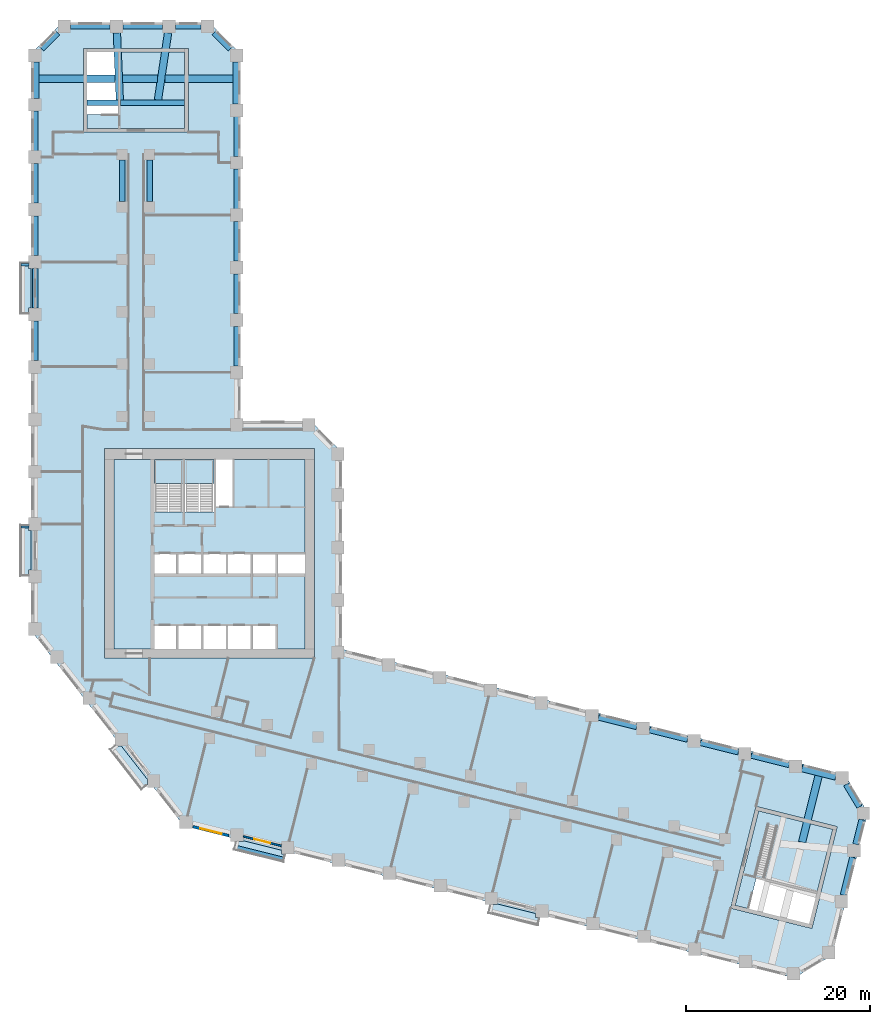
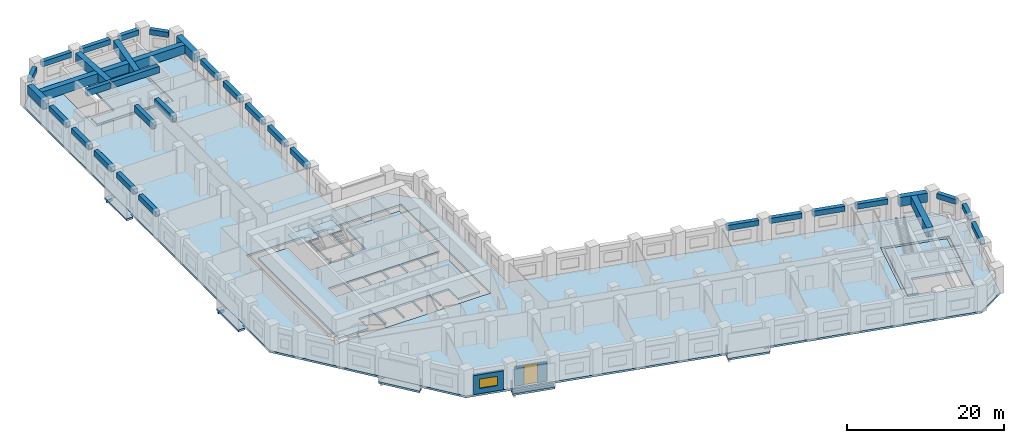
# One storey, part 2 of 12: 37 beams, 11 slabs, 3 walls, 1 door, 1 window, 2 openings, 2 elements without a shape of their own.
"""IFC4 building model written with IfcOpenShell, lengths in metres."""

import ifcopenshell
import ifcopenshell.guid

model = None  # the IFC model being written
_history = None  # IfcOwnerHistory: only IFC2X3 demands one
_inside = {}  # id of a spatial element -> (the spatial element, [elements in it])
_under = {}  # id of a project, library or spatial element -> (it, [spatial elements below it])
_declared = {}  # id of a project -> (the project, [libraries it declares])
_typed = {}  # id of a type object -> (the type object, [elements of that type])
_made_of = {}  # id of a material, layer set ... -> (it, [elements and type objects made of it])


def new_model(schema):
    """Start an empty IFC model of exactly this schema.

    Asked for "IFC4X3", IfcOpenShell would pick the latest addendum, in which some entities
    have other attributes; the version numbers below select the first issue.
    IFC2X3 requires an IfcOwnerHistory on every rooted entity: one is made here for all.
    """
    global model, _history
    if schema == "IFC4X3":
        model = ifcopenshell.file(schema_version=(4, 3, 0, 0))
    else:
        model = ifcopenshell.file(schema=schema)
    _inside.clear()
    _under.clear()
    _declared.clear()
    _typed.clear()
    _made_of.clear()
    _history = None
    if model.schema == "IFC2X3":
        org = make("IfcOrganization", Name="unknown")
        user = make(
            "IfcPersonAndOrganization",
            ThePerson=make("IfcPerson", FamilyName="unknown"),
            TheOrganization=org,
        )
        app = make(
            "IfcApplication",
            ApplicationDeveloper=org,
            Version="unknown",
            ApplicationFullName="unknown",
            ApplicationIdentifier="unknown",
        )
        _history = make(
            "IfcOwnerHistory",
            OwningUser=user,
            OwningApplication=app,
            ChangeAction="ADDED",
            CreationDate=0,
        )
    return model


def make(cls, **values):
    """One entity of the class cls with the attributes given. An attribute that is None is left unset."""
    return model.create_entity(
        cls, **{name: value for name, value in values.items() if value is not None}
    )


def rooted(cls, **values):
    """An entity with a GlobalId (a new one), such as an element, a storey or a relation."""
    return make(cls, GlobalId=ifcopenshell.guid.new(), OwnerHistory=_history, **values)


def si_unit(unit_type, name, prefix=None):
    """IfcSIUnit, for example si_unit("LENGTHUNIT", "METRE", prefix="MILLI")."""
    return make("IfcSIUnit", UnitType=unit_type, Prefix=prefix, Name=name)


def assignment(units):
    """IfcUnitAssignment: the units of a project."""
    return None if units is None else make("IfcUnitAssignment", Units=units)


def point(xyz):
    """IfcCartesianPoint."""
    return None if xyz is None else make("IfcCartesianPoint", Coordinates=xyz)


def direction(xyz):
    """IfcDirection."""
    return None if xyz is None else make("IfcDirection", DirectionRatios=xyz)


def frame(location, z_axis=None, x_axis=None):
    """IfcAxis2Placement3D, a coordinate frame: its origin and axes. An axis left out is left unset."""
    return make(
        "IfcAxis2Placement3D",
        Location=point(location),
        Axis=direction(z_axis),
        RefDirection=direction(x_axis),
    )


def frame_2d(location, x_axis=None):
    """IfcAxis2Placement2D, a coordinate frame in the plane: its origin and x axis."""
    return make(
        "IfcAxis2Placement2D", Location=point(location), RefDirection=direction(x_axis)
    )


def origin():
    """The frame at (0, 0, 0) with its axes left unset."""
    return frame((0.0, 0.0, 0.0))


def origin_2d():
    """The frame at (0, 0) in the plane with its x axis left unset."""
    return frame_2d((0.0, 0.0))


def place(relative_to, where):
    """IfcLocalPlacement: puts the frame where relative to a parent placement (None: the world)."""
    return make(
        "IfcLocalPlacement", PlacementRelTo=relative_to, RelativePlacement=where
    )


def context(
    kind, dimensions, precision=None, world=None, true_north=None, identifier=None
):
    """IfcGeometricRepresentationContext, for example the 3D "Model" context."""
    return make(
        "IfcGeometricRepresentationContext",
        ContextIdentifier=identifier,
        ContextType=kind,
        CoordinateSpaceDimension=dimensions,
        Precision=precision,
        WorldCoordinateSystem=world,
        TrueNorth=true_north,
    )


def subcontext(parent, identifier, kind, view, scale=None):
    """IfcGeometricRepresentationSubContext, for example "Body" below "Model"."""
    return make(
        "IfcGeometricRepresentationSubContext",
        ContextIdentifier=identifier,
        ContextType=kind,
        ParentContext=parent,
        TargetScale=scale,
        TargetView=view,
    )


def project(units=None, contexts=None):
    """IfcProject with its units and contexts."""
    return rooted(
        "IfcProject",
        Name="project",
        RepresentationContexts=contexts,
        UnitsInContext=assignment(units),
    )


def spatial(cls, under=None, at=None, **own):
    """A site, building, storey or space (cls), placed at a placement, below another one or the project."""
    s = rooted(cls, ObjectPlacement=at, **own)
    if under is not None:
        _under.setdefault(under.id(), (under, []))[1].append(s)
    return s


def polyline(points):
    """IfcPolyline through the points."""
    return make("IfcPolyline", Points=[point(p) for p in points])


def profile(cls, at=None, kind="AREA", **sizes):
    """A parametric profile (cls). Its sizes go by their IFC names, for example OverallWidth=200.0."""
    return make(cls, ProfileType=kind, Position=at, **sizes)


def rectangle(**sizes):
    """IfcRectangleProfileDef."""
    return profile("IfcRectangleProfileDef", **sizes)


def outline(outer, holes=None, kind="AREA"):
    """IfcArbitraryClosedProfileDef: a profile drawn as a closed curve; with holes, ...WithVoids."""
    if holes is None:
        return make("IfcArbitraryClosedProfileDef", ProfileType=kind, OuterCurve=outer)
    return make(
        "IfcArbitraryProfileDefWithVoids",
        ProfileType=kind,
        OuterCurve=outer,
        InnerCurves=holes,
    )


def extrude(swept, where, along, depth):
    """IfcExtrudedAreaSolid: the profile swept, set in the frame where, extruded along a direction by depth."""
    return make(
        "IfcExtrudedAreaSolid",
        SweptArea=swept,
        Position=where,
        ExtrudedDirection=direction(along),
        Depth=depth,
    )


def shape(context_of_items, identifier, shape_type, items):
    """IfcShapeRepresentation: the items that make up one representation, for example the "Body"."""
    return make(
        "IfcShapeRepresentation",
        ContextOfItems=context_of_items,
        RepresentationIdentifier=identifier,
        RepresentationType=shape_type,
        Items=items,
    )


def material(Name=None, Category=None):
    """IfcMaterial."""
    return make("IfcMaterial", Name=Name, Category=Category)


def layer(
    of_material, thickness, ventilated=None, Name=None, Category=None, Priority=None
):
    """IfcMaterialLayer: one layer of a wall or slab, of a material (None: an air gap)."""
    return make(
        "IfcMaterialLayer",
        Material=of_material,
        LayerThickness=thickness,
        IsVentilated=ventilated,
        Name=Name,
        Category=Category,
        Priority=Priority,
    )


def layer_set(layers, Name=None):
    """IfcMaterialLayerSet."""
    return make("IfcMaterialLayerSet", MaterialLayers=layers, LayerSetName=Name)


def material_profile(
    of_material, cross_section, Name=None, Category=None, Priority=None
):
    """IfcMaterialProfile: a cross section and its material."""
    return make(
        "IfcMaterialProfile",
        Name=Name,
        Material=of_material,
        Profile=cross_section,
        Priority=Priority,
        Category=Category,
    )


def profile_set(profiles, Name=None, composite=None):
    """IfcMaterialProfileSet."""
    return make(
        "IfcMaterialProfileSet",
        Name=Name,
        MaterialProfiles=profiles,
        CompositeProfile=composite,
    )


def made_of(thing, what):
    """Note that an element or type object is made of a material, layer set ...; save() writes the relation."""
    if what is not None:
        _made_of.setdefault(what.id(), (what, []))[1].append(thing)
    return thing


def type_object(cls, material=None, **own):
    """A type object (cls), such as IfcWallType, which elements share."""
    return made_of(rooted(cls, **own), material)


def element(
    cls,
    number,
    at=None,
    inside=None,
    cuts=None,
    type_object=None,
    material=None,
    context=None,
    identifier="Body",
    shape_type=None,
    held_by="IfcProductDefinitionShape",
    body=None,
    shapes=None,
    **own,
):
    """One element of the class cls, such as IfcWall. Its Tag is "e" and its number.

    at: its placement. inside: the storey or other place that contains it. cuts: it is an
    opening in that element (IfcRelVoidsElement). A single representation is given by context,
    identifier, shape_type and body (its items); several are given by shapes. held_by: the class
    of the entity that holds the representations. save() writes the other relations.
    """
    e = rooted(cls, Tag="e%d" % number, ObjectPlacement=at, **own)
    if body is not None:
        shapes = [shape(context, identifier, shape_type, body)]
    if shapes is not None:
        e.Representation = make(held_by, Representations=shapes)
    if inside is not None:
        _inside.setdefault(inside.id(), (inside, []))[1].append(e)
    if cuts is not None:
        rooted(
            "IfcRelVoidsElement", RelatingBuildingElement=cuts, RelatedOpeningElement=e
        )
    if type_object is not None:
        _typed.setdefault(type_object.id(), (type_object, []))[1].append(e)
    return made_of(e, material)


def fill(opening, filler):
    """IfcRelFillsElement: the door or window that sits in an opening."""
    return rooted(
        "IfcRelFillsElement",
        RelatingOpeningElement=opening,
        RelatedBuildingElement=filler,
    )


def aggregate(whole, parts):
    """IfcRelAggregates: a whole, such as a stair, and the parts it consists of."""
    return rooted("IfcRelAggregates", RelatingObject=whole, RelatedObjects=parts)


def save(model, path):
    """Write the relations noted so far, then the file.

    IfcRelAggregates (storeys below a building ...), IfcRelContainedInSpatialStructure (elements
    in a storey), IfcRelDefinesByType, IfcRelAssociatesMaterial and IfcRelDeclares: one each for
    every whole, place, type object, material and project.
    """
    for whole, parts in _under.values():
        aggregate(whole, parts)
    for where, things in _inside.values():
        rooted(
            "IfcRelContainedInSpatialStructure",
            RelatedElements=things,
            RelatingStructure=where,
        )
    for kind, things in _typed.values():
        rooted("IfcRelDefinesByType", RelatedObjects=things, RelatingType=kind)
    for what, things in _made_of.values():
        rooted("IfcRelAssociatesMaterial", RelatedObjects=things, RelatingMaterial=what)
    for by, libraries in _declared.values():
        rooted("IfcRelDeclares", RelatingContext=by, RelatedDefinitions=libraries)
    model.write(path)


model = new_model("IFC4")

# Units and contexts
model_context = context("Model", 3, precision=1e-05, world=origin(), true_north=direction((0.0, 1.0)))
body_context = subcontext(model_context, "Body", "Model", "MODEL_VIEW")
ifc_project = project(units=[si_unit("LENGTHUNIT", "METRE"), si_unit("AREAUNIT", "SQUARE_METRE"), si_unit("VOLUMEUNIT", "CUBIC_METRE"), si_unit("PLANEANGLEUNIT", "RADIAN"), si_unit("MASSUNIT", "GRAM", prefix="KILO")], contexts=[model_context])

# Site, building, storey
site_placement = place(None, origin())
site = spatial("IfcSite", under=ifc_project, at=site_placement, CompositionType="ELEMENT")
building_placement = place(site_placement, origin())
building = spatial("IfcBuilding", under=site, at=building_placement, Name="Meshkara Civic Tower", CompositionType="ELEMENT")
storey_placement = place(building_placement, frame((0.0, 0.0, 87.60009765625)))
storey = spatial("IfcBuildingStorey", under=building, at=storey_placement, Name="L19", CompositionType="ELEMENT", Elevation=87.60009765625)

# Beams
ifc_material_1 = material(Name="Concrete C50", Category="concrete")
ifc_material_profile_1 = material_profile(ifc_material_1, rectangle(XDim=0.25, YDim=0.39990234375, at=origin_2d()))
ifc_profile_set_1 = profile_set([ifc_material_profile_1], Name="Concrete C50")
beam_type_1 = type_object("IfcBeamType", Name="Balcony bracket beam RC 250x400 C50", PredefinedType="BEAM", material=ifc_profile_set_1)
for number, where, z_axis, x_axis, name in (
    (1, (-0.2451171875, 56.85498046875, -0.5), (-1.0, 0.0, 0.0), (0.0, -1.0, 0.0), "Balcony bracket beam"),
    (2, (-0.2451171875, 28.35498046875, -0.5), (-1.0, 0.0, 0.0), (0.0, -1.0, 0.0), "Balcony bracket beam"),
):
    element("IfcBeam", number, at=place(storey_placement, frame(where, z_axis=z_axis, x_axis=x_axis)), inside=storey, type_object=beam_type_1, Name=name, PredefinedType="BEAM", context=body_context, shape_type="SweptSolid", body=[
        extrude(rectangle(XDim=0.25, YDim=0.39990234375, at=origin_2d()), origin(), (0.0, 0.0, 1.0), 0.85498046875),
    ])
ifc_material_2 = material(Name="Concrete C80", Category="concrete")
ifc_material_profile_2 = material_profile(ifc_material_2, rectangle(XDim=0.60009765625, YDim=1.0, at=origin_2d()))
ifc_profile_set_2 = profile_set([ifc_material_profile_2], Name="Concrete C80")
beam_type_2 = type_object("IfcBeamType", Name="Core transfer beam RC 600x1000 C80", PredefinedType="BEAM", material=ifc_profile_set_2)
for number, where, z_axis, x_axis, name in (
    (3, (9.89990234375, 63.75, 3.25), (0.0, 1.0, 0.0), (-1.0, 0.0, 0.0), "Transfer beam A L20 core-side wall"),
    (4, (12.89990234375, 63.75, 3.25), (0.0, 1.0, 0.0), (-1.0, 0.0, 0.0), "Transfer beam A L20 core-side wall"),
):
    element("IfcBeam", number, at=place(storey_placement, frame(where, z_axis=z_axis, x_axis=x_axis)), inside=storey, type_object=beam_type_2, Name=name, PredefinedType="BEAM", context=body_context, shape_type="SweptSolid", body=[
        extrude(rectangle(XDim=0.60009765625, YDim=1.0, at=origin_2d()), origin(), (0.0, 0.0, 1.0), 4.5),
    ])
beam_1_placement = place(storey_placement, frame((6.10009765625, 74.469970703125, 3.25), z_axis=(1.0, 0.0, 0.0), x_axis=(0.0, 1.0, 0.0)))
element("IfcBeam", 5, at=beam_1_placement, inside=storey, type_object=beam_type_2, Name="Transfer beam A L20 tip-side wall", PredefinedType="BEAM", context=body_context, shape_type="SweptSolid", body=[
    extrude(rectangle(XDim=0.60009765625, YDim=1.0, at=origin_2d()), origin(), (0.0, 0.0, 1.0), 3.39990234375),
])
beam_2_placement = place(storey_placement, frame((9.699951171875, 74.469970703125, 3.25), z_axis=(1.0, 0.0, 0.0), x_axis=(0.0, 1.0, 0.0)))
element("IfcBeam", 6, at=beam_2_placement, inside=storey, type_object=beam_type_2, Name="Transfer beam A L20 tip-side wall", PredefinedType="BEAM", context=body_context, shape_type="SweptSolid", body=[
    extrude(rectangle(XDim=0.60009765625, YDim=1.0, at=origin_2d()), origin(), (0.0, 0.0, 1.0), 7.0),
])
ifc_material_3 = material(Name="Concrete C70", Category="concrete")
ifc_material_profile_3 = material_profile(ifc_material_3, rectangle(XDim=0.60009765625, YDim=0.800048828125, at=origin_2d()))
ifc_profile_set_3 = profile_set([ifc_material_profile_3], Name="Concrete C70")
beam_type_3 = type_object("IfcBeamType", Name="Spandrel beam RC 600x800 C70", PredefinedType="BEAM", material=ifc_profile_set_3)
beam_3_placement = place(storey_placement, frame((82.430908203125, 2.481201171875, 3.349853515625), z_axis=(-0.97029374225, 0.241929852955, 0.0), x_axis=(-0.241929852955, -0.97029374225, 0.0)))
element("IfcBeam", 7, at=beam_3_placement, inside=storey, type_object=beam_type_3, Name="Spandrel beam BN08-BN09", PredefinedType="BEAM", context=body_context, shape_type="SweptSolid", body=[
    extrude(rectangle(XDim=0.60009765625, YDim=0.800048828125, at=origin_2d()), origin(), (0.0, 0.0, 1.0), 4.267578125),
])
beam_4_placement = place(storey_placement, frame((76.89990234375, 3.8603515625, 3.349853515625), z_axis=(-0.970293777887, 0.241929710026, 0.0), x_axis=(-0.241929710026, -0.970293777887, 0.0)))
element("IfcBeam", 8, at=beam_4_placement, inside=storey, type_object=beam_type_3, Name="Spandrel beam BN07-BN08", PredefinedType="BEAM", context=body_context, shape_type="SweptSolid", body=[
    extrude(rectangle(XDim=0.60009765625, YDim=0.800048828125, at=origin_2d()), origin(), (0.0, 0.0, 1.0), 4.2666015625),
])
for number, where, z_axis, x_axis, name in (
    (9, (71.369873046875, 5.2392578125, 3.349853515625), (-0.97029374225, 0.241929852955, 0.0), (-0.241929852955, -0.97029374225, 0.0), "Spandrel beam BN06-BN07"),
    (10, (65.8388671875, 6.618408203125, 3.349853515625), (-0.970307169965, 0.241875992843, 0.0), (-0.241875992843, -0.970307169965, 0.0), "Spandrel beam BN05-BN06"),
):
    element("IfcBeam", number, at=place(storey_placement, frame(where, z_axis=z_axis, x_axis=x_axis)), inside=storey, type_object=beam_type_3, Name=name, PredefinedType="BEAM", context=body_context, shape_type="SweptSolid", body=[
        extrude(rectangle(XDim=0.60009765625, YDim=0.800048828125, at=origin_2d()), origin(), (0.0, 0.0, 1.0), 4.267578125),
    ])
for number, where, z_axis, x_axis, name in (
    (11, (22.35009765625, 45.844970703125, 3.349853515625), (0.0, 1.0, 0.0), (-1.0, 0.0, 0.0), "Spandrel beam AE01-AE02"),
    (12, (22.35009765625, 51.544921875, 3.349853515625), (0.0, 1.0, 0.0), (-1.0, 0.0, 0.0), "Spandrel beam AE02-AE03"),
):
    element("IfcBeam", number, at=place(storey_placement, frame(where, z_axis=z_axis, x_axis=x_axis)), inside=storey, type_object=beam_type_3, Name=name, PredefinedType="BEAM", context=body_context, shape_type="SweptSolid", body=[
        extrude(rectangle(XDim=0.60009765625, YDim=0.800048828125, at=origin_2d()), origin(), (0.0, 0.0, 1.0), 4.31005859375),
    ])
for number, where, z_axis, x_axis, name in (
    (13, (22.35009765625, 57.2451171875, 3.349853515625), (0.0, 1.0, 0.0), (-1.0, 0.0, 0.0), "Spandrel beam AE03-AE04"),
    (14, (22.35009765625, 62.945068359375, 3.349853515625), (0.0, 1.0, 0.0), (-1.0, 0.0, 0.0), "Spandrel beam AE04-AE05"),
):
    element("IfcBeam", number, at=place(storey_placement, frame(where, z_axis=z_axis, x_axis=x_axis)), inside=storey, type_object=beam_type_3, Name=name, PredefinedType="BEAM", context=body_context, shape_type="SweptSolid", body=[
        extrude(rectangle(XDim=0.60009765625, YDim=0.800048828125, at=origin_2d()), origin(), (0.0, 0.0, 1.0), 4.309814453125),
    ])
beam_5_placement = place(storey_placement, frame((22.35009765625, 68.64501953125, 3.349853515625), z_axis=(0.0, 1.0, 0.0), x_axis=(-1.0, 0.0, 0.0)))
element("IfcBeam", 15, at=beam_5_placement, inside=storey, type_object=beam_type_3, Name="Spandrel beam AE05-AE06", PredefinedType="BEAM", context=body_context, shape_type="SweptSolid", body=[
    extrude(rectangle(XDim=0.60009765625, YDim=0.800048828125, at=origin_2d()), origin(), (0.0, 0.0, 1.0), 4.31005859375),
])
beam_6_placement = place(storey_placement, frame((21.653564453125, 80.310546875, 3.349853515625), z_axis=(-0.707155737934, 0.70705782105, 0.0), x_axis=(-0.70705782105, -0.707155737934, 0.0)))
element("IfcBeam", 16, at=beam_6_placement, inside=storey, type_object=beam_type_3, Name="Spandrel beam AEE-ATiE", PredefinedType="BEAM", context=body_context, shape_type="SweptSolid", body=[
    extrude(rectangle(XDim=0.60009765625, YDim=0.800048828125, at=origin_2d()), origin(), (0.0, 0.0, 1.0), 2.493408203125),
])
beam_7_placement = place(storey_placement, frame((18.4990234375, 82.77001953125, 3.349853515625), z_axis=(-1.0, 0.0, 0.0), x_axis=(0.0, -1.0, 0.0)))
element("IfcBeam", 17, at=beam_7_placement, inside=storey, type_object=beam_type_3, Name="Spandrel beam AT02-ATiE", PredefinedType="BEAM", context=body_context, shape_type="SweptSolid", body=[
    extrude(rectangle(XDim=0.60009765625, YDim=0.800048828125, at=origin_2d()), origin(), (0.0, 0.0, 1.0), 2.798095703125),
])
for number, where, z_axis, x_axis, name in (
    (18, (14.31103515625, 82.77001953125, 3.349853515625), (-1.0, 0.0, 0.0), (0.0, -1.0, 0.0), "Spandrel beam AT01-AT02"),
    (19, (8.611083984375, 82.77001953125, 3.349853515625), (-1.0, 0.0, 0.0), (0.0, -1.0, 0.0), "Spandrel beam AT00-AT01"),
):
    element("IfcBeam", number, at=place(storey_placement, frame(where, z_axis=z_axis, x_axis=x_axis)), inside=storey, type_object=beam_type_3, Name=name, PredefinedType="BEAM", context=body_context, shape_type="SweptSolid", body=[
        extrude(rectangle(XDim=0.60009765625, YDim=0.800048828125, at=origin_2d()), origin(), (0.0, 0.0, 1.0), 4.31005859375),
    ])
beam_8_placement = place(storey_placement, frame((2.909423828125, 82.073486328125, 3.349853515625), z_axis=(-0.707106781187, -0.707106781187, 0.0), x_axis=(0.707106781187, -0.707106781187, 0.0)))
element("IfcBeam", 20, at=beam_8_placement, inside=storey, type_object=beam_type_3, Name="Spandrel beam AT00-ATo00", PredefinedType="BEAM", context=body_context, shape_type="SweptSolid", body=[
    extrude(rectangle(XDim=0.60009765625, YDim=0.800048828125, at=origin_2d()), origin(), (0.0, 0.0, 1.0), 2.4931640625),
])
for number, where, z_axis, x_axis, name in (
    (21, (0.449951171875, 73.56005859375, 3.349853515625), (0.0, -1.0, 0.0), (1.0, 0.0, 0.0), "Spandrel beam AW09-AW10"),
    (22, (0.449951171875, 67.860107421875, 3.349853515625), (0.0, -1.0, 0.0), (1.0, 0.0, 0.0), "Spandrel beam AW08-AW09"),
):
    element("IfcBeam", number, at=place(storey_placement, frame(where, z_axis=z_axis, x_axis=x_axis)), inside=storey, type_object=beam_type_3, Name=name, PredefinedType="BEAM", context=body_context, shape_type="SweptSolid", body=[
        extrude(rectangle(XDim=0.60009765625, YDim=0.800048828125, at=origin_2d()), origin(), (0.0, 0.0, 1.0), 4.31005859375),
    ])
beam_9_placement = place(storey_placement, frame((0.449951171875, 62.159912109375, 3.349853515625), z_axis=(0.0, -1.0, 0.0), x_axis=(1.0, 0.0, 0.0)))
element("IfcBeam", 23, at=beam_9_placement, inside=storey, type_object=beam_type_3, Name="Spandrel beam AW07-AW08", PredefinedType="BEAM", context=body_context, shape_type="SweptSolid", body=[
    extrude(rectangle(XDim=0.60009765625, YDim=0.800048828125, at=origin_2d()), origin(), (0.0, 0.0, 1.0), 4.309814453125),
])
for number, where, z_axis, x_axis, name in (
    (24, (0.449951171875, 56.4599609375, 3.349853515625), (0.0, -1.0, 0.0), (1.0, 0.0, 0.0), "Spandrel beam AW06-AW07"),
    (25, (0.449951171875, 50.760009765625, 3.349853515625), (0.0, -1.0, 0.0), (1.0, 0.0, 0.0), "Spandrel beam AW05-AW06"),
):
    element("IfcBeam", number, at=place(storey_placement, frame(where, z_axis=z_axis, x_axis=x_axis)), inside=storey, type_object=beam_type_3, Name=name, PredefinedType="BEAM", context=body_context, shape_type="SweptSolid", body=[
        extrude(rectangle(XDim=0.60009765625, YDim=0.800048828125, at=origin_2d()), origin(), (0.0, 0.0, 1.0), 4.31005859375),
    ])
beam_10_placement = place(storey_placement, frame((88.266357421875, -11.677001953125, 3.349853515625), z_axis=(0.241929710026, 0.970293777887, 0.0), x_axis=(-0.970293777887, 0.241929710026, 0.0)))
element("IfcBeam", 26, at=beam_10_placement, inside=storey, type_object=beam_type_3, Name="Spandrel beam BT01-BT02", PredefinedType="BEAM", context=body_context, shape_type="SweptSolid", body=[
    extrude(rectangle(XDim=0.60009765625, YDim=0.800048828125, at=origin_2d()), origin(), (0.0, 0.0, 1.0), 4.2666015625),
])
beam_11_placement = place(storey_placement, frame((89.645263671875, -6.14697265625, 3.349853515625), z_axis=(0.241951685637, 0.9702882983, 0.0), x_axis=(-0.9702882983, 0.241951685637, 0.0)))
element("IfcBeam", 27, at=beam_11_placement, inside=storey, type_object=beam_type_3, Name="Spandrel beam BT02-BTE", PredefinedType="BEAM", context=body_context, shape_type="SweptSolid", body=[
    extrude(rectangle(XDim=0.60009765625, YDim=0.800048828125, at=origin_2d()), origin(), (0.0, 0.0, 1.0), 2.754638671875),
])
beam_12_placement = place(storey_placement, frame((90.06689453125, -2.083251953125, 3.349853515625), z_axis=(-0.515140502895, 0.85710574743, 0.0), x_axis=(-0.85710574743, -0.515140502895, 0.0)))
element("IfcBeam", 28, at=beam_12_placement, inside=storey, type_object=beam_type_3, Name="Spandrel beam BTE-BTi00", PredefinedType="BEAM", context=body_context, shape_type="SweptSolid", body=[
    extrude(rectangle(XDim=0.60009765625, YDim=0.800048828125, at=origin_2d()), origin(), (0.0, 0.0, 1.0), 2.83935546875),
])
ifc_material_4 = material(Name="Concrete C70", Category="concrete")
ifc_material_profile_4 = material_profile(ifc_material_4, rectangle(XDim=0.800048828125, YDim=1.39990234375, at=origin_2d()))
ifc_profile_set_4 = profile_set([ifc_material_profile_4], Name="Concrete C70")
beam_type_4 = type_object("IfcBeamType", Name="Transfer girder RC 800x1400 C70", PredefinedType="BEAM", material=ifc_profile_set_4)
beam_13_placement = place(storey_placement, frame((22.35009765625, 74.344970703125, 3.0498046875), z_axis=(0.0, 1.0, 0.0), x_axis=(-1.0, 0.0, 0.0)))
element("IfcBeam", 29, at=beam_13_placement, inside=storey, type_object=beam_type_4, Name="Transfer girder AE06-AEE", PredefinedType="BEAM", context=body_context, shape_type="SweptSolid", body=[
    extrude(rectangle(XDim=0.800048828125, YDim=1.39990234375, at=origin_2d()), origin(), (0.0, 0.0, 1.0), 4.573974609375),
])
beam_14_placement = place(storey_placement, frame((0.449951171875, 74.949951171875, 3.0498046875), z_axis=(0.0, 1.0, 0.0), x_axis=(-1.0, 0.0, 0.0)))
element("IfcBeam", 30, at=beam_14_placement, inside=storey, type_object=beam_type_4, Name="Transfer girder ATo00-AW10", PredefinedType="BEAM", context=body_context, shape_type="SweptSolid", body=[
    extrude(rectangle(XDim=0.800048828125, YDim=1.39990234375, at=origin_2d()), origin(), (0.0, 0.0, 1.0), 3.968994140625),
])
beam_15_placement = place(storey_placement, frame((9.6474609375, 74.77001953125, 3.0498046875), z_axis=(-0.042640237879, 0.999090491454, 0.0), x_axis=(-0.999090491454, -0.042640237879, 0.0)))
element("IfcBeam", 31, at=beam_15_placement, inside=storey, type_object=beam_type_4, Name="Transfer girder AT01-SA1-09", PredefinedType="BEAM", context=body_context, shape_type="SweptSolid", body=[
    extrude(rectangle(XDim=0.800048828125, YDim=1.39990234375, at=origin_2d()), origin(), (0.0, 0.0, 1.0), 7.3115234375),
])
beam_16_placement = place(storey_placement, frame((13.795654296875, 74.77001953125, 3.0498046875), z_axis=(0.149595891662, 0.988747222094, 0.0), x_axis=(-0.988747222094, 0.149595891662, 0.0)))
element("IfcBeam", 32, at=beam_16_placement, inside=storey, type_object=beam_type_4, Name="Transfer girder AT02-SA2-09", PredefinedType="BEAM", context=body_context, shape_type="SweptSolid", body=[
    extrude(rectangle(XDim=0.800048828125, YDim=1.39990234375, at=origin_2d()), origin(), (0.0, 0.0, 1.0), 7.38818359375),
])
beam_17_placement = place(storey_placement, frame((0.85009765625, 77.070068359375, 3.0498046875), z_axis=(1.0, 0.0, 0.0), x_axis=(0.0, 1.0, 0.0)))
element("IfcBeam", 33, at=beam_17_placement, inside=storey, type_object=beam_type_4, Name="Transfer girder tip A L20", PredefinedType="BEAM", context=body_context, shape_type="SweptSolid", body=[
    extrude(rectangle(XDim=0.800048828125, YDim=1.39990234375, at=origin_2d()), origin(), (0.0, 0.0, 1.0), 8.299072265625),
])
beam_18_placement = place(storey_placement, frame((9.94921875, 77.070068359375, 3.0498046875), z_axis=(1.0, 0.0, 0.0), x_axis=(0.0, 1.0, 0.0)))
element("IfcBeam", 34, at=beam_18_placement, inside=storey, type_object=beam_type_4, Name="Transfer girder tip A L20", PredefinedType="BEAM", context=body_context, shape_type="SweptSolid", body=[
    extrude(rectangle(XDim=0.800048828125, YDim=1.39990234375, at=origin_2d()), origin(), (0.0, 0.0, 1.0), 3.79443359375),
])
beam_19_placement = place(storey_placement, frame((14.543701171875, 77.070068359375, 3.0498046875), z_axis=(1.0, 0.0, 0.0), x_axis=(0.0, 1.0, 0.0)))
element("IfcBeam", 35, at=beam_19_placement, inside=storey, type_object=beam_type_4, Name="Transfer girder tip A L20", PredefinedType="BEAM", context=body_context, shape_type="SweptSolid", body=[
    extrude(rectangle(XDim=0.800048828125, YDim=1.39990234375, at=origin_2d()), origin(), (0.0, 0.0, 1.0), 7.40625),
])
beam_20_placement = place(storey_placement, frame((83.821044921875, 2.134521484375, 3.0498046875), z_axis=(0.97029418893, -0.241928061476, 0.0), x_axis=(0.241928061476, 0.97029418893, 0.0)))
element("IfcBeam", 36, at=beam_20_placement, inside=storey, type_object=beam_type_4, Name="Transfer girder BN09-BTi00", PredefinedType="BEAM", context=body_context, shape_type="SweptSolid", body=[
    extrude(rectangle(XDim=0.800048828125, YDim=1.39990234375, at=origin_2d()), origin(), (0.0, 0.0, 1.0), 3.7822265625),
])
beam_21_placement = place(storey_placement, frame((83.8291015625, -5.91162109375, 3.0498046875), z_axis=(0.241922750671, 0.970295513082, 0.0), x_axis=(-0.970295513082, 0.241922750671, 0.0)))
element("IfcBeam", 37, at=beam_21_placement, inside=storey, type_object=beam_type_4, Name="Transfer girder tip B L20", PredefinedType="BEAM", context=body_context, shape_type="SweptSolid", body=[
    extrude(rectangle(XDim=0.800048828125, YDim=1.39990234375, at=origin_2d()), origin(), (0.0, 0.0, 1.0), 7.4052734375),
])

# Slabs
ifc_material_5 = material(Name="Concrete C40", Category="concrete")
ifc_layer_1 = layer(ifc_material_5, 0.300048828125)
ifc_layer_set_1 = layer_set([ifc_layer_1], Name="BALCONY SLAB")
slab_type_1 = type_object("IfcSlabType", Name="BALCONY SLAB", PredefinedType="FLOOR", material=ifc_layer_set_1)
slab_1_placement = place(storey_placement, frame((0.0, 0.0, -0.300048828125)))
element("IfcSlab", 38, at=slab_1_placement, inside=storey, type_object=slab_type_1, Name="Balcony slab", PredefinedType="FLOOR", context=body_context, shape_type="SweptSolid", body=[
    extrude(outline(polyline([(-1.199951171875, 51.514892578125), (-1.199951171875, 57.094970703125), (-0.25, 57.094970703125), (-0.25, 56.455078125), (0.0, 56.455078125), (0.0, 52.155029296875), (-0.25, 52.155029296875), (-0.25, 51.514892578125), (-1.199951171875, 51.514892578125)])), origin(), (0.0, 0.0, 1.0), 0.300048828125),
])
slab_2_placement = place(storey_placement, frame((0.0, 0.0, -0.300048828125)))
element("IfcSlab", 39, at=slab_2_placement, inside=storey, type_object=slab_type_1, Name="Balcony slab", PredefinedType="FLOOR", context=body_context, shape_type="SweptSolid", body=[
    extrude(outline(polyline([(-1.199951171875, 23.014892578125), (-1.199951171875, 28.594970703125), (-0.25, 28.594970703125), (-0.25, 27.955078125), (0.0, 27.955078125), (0.0, 23.655029296875), (-0.25, 23.655029296875), (-0.25, 23.014892578125), (-1.199951171875, 23.014892578125)])), origin(), (0.0, 0.0, 1.0), 0.300048828125),
])
slab_3_placement = place(storey_placement, frame((0.0, 0.0, -0.300048828125)))
element("IfcSlab", 40, at=slab_3_placement, inside=storey, type_object=slab_type_1, Name="Balcony slab", PredefinedType="FLOOR", context=body_context, shape_type="SweptSolid", body=[
    extrude(outline(polyline([(12.0048828125, -0.215087890625), (8.570068359375, 4.181884765625), (9.133056640625, 4.6220703125), (9.133056640625, 4.544921875), (9.80908203125, 4.544921875), (12.64208984375, 0.9189453125), (12.64208984375, 0.282958984375), (12.0048828125, -0.215087890625)])), origin(), (0.0, 0.0, 1.0), 0.300048828125),
])
slab_4_placement = place(storey_placement, frame((0.0, 0.0, -0.300048828125)))
element("IfcSlab", 41, at=slab_4_placement, inside=storey, type_object=slab_type_1, Name="Balcony slab", PredefinedType="FLOOR", context=body_context, shape_type="SweptSolid", body=[
    extrude(outline(polyline([(27.455078125, -8.08203125), (22.041015625, -6.73193359375), (22.26904296875, -5.81689453125), (23.08203125, -5.81689453125), (23.08203125, -5.7548828125), (27.2119140625, -6.784912109375), (27.2119140625, -7.196044921875), (27.676025390625, -7.196044921875), (27.455078125, -8.08203125)])), origin(), (0.0, 0.0, 1.0), 0.300048828125),
])
slab_5_placement = place(storey_placement, frame((0.0, 0.0, -0.300048828125)))
element("IfcSlab", 42, at=slab_5_placement, inside=storey, type_object=slab_type_1, Name="Balcony slab", PredefinedType="FLOOR", context=body_context, shape_type="SweptSolid", body=[
    extrude(outline(polyline([(55.10888671875, -14.97705078125), (49.694091796875, -13.626953125), (49.922119140625, -12.7109375), (50.735107421875, -12.7109375), (50.735107421875, -12.64990234375), (54.865966796875, -13.679931640625), (54.865966796875, -14.090087890625), (55.330078125, -14.090087890625), (55.10888671875, -14.97705078125)])), origin(), (0.0, 0.0, 1.0), 0.300048828125),
])
ifc_material_6 = material(Name="Concrete C40/50", Category="concrete")
ifc_layer_2 = layer(ifc_material_6, 0.300048828125)
ifc_layer_set_2 = layer_set([ifc_layer_2], Name="Core floor slab 300 C40/50")
slab_type_2 = type_object("IfcSlabType", Name="Core floor slab 300 C40/50", PredefinedType="FLOOR", material=ifc_layer_set_2)
slab_6_placement = place(storey_placement, frame((0.0, 0.0, -0.300048828125)))
element("IfcSlab", 43, at=slab_6_placement, inside=storey, type_object=slab_type_2, Name="Core floor K", PredefinedType="FLOOR", context=body_context, shape_type="SweptSolid", body=[
    extrude(outline(polyline([(9.0, 35.699951171875), (13.39990234375, 35.699951171875), (13.39990234375, 30.00146484375), (16.5, 30.00146484375), (16.5, 35.699951171875), (16.699951171875, 35.699951171875), (16.699951171875, 30.00146484375), (19.89990234375, 30.00146484375), (19.89990234375, 35.699951171875), (20.10009765625, 35.699951171875), (20.10009765625, 30.574951171875), (21.925048828125, 30.574951171875), (21.925048828125, 35.699951171875), (29.800048828125, 35.699951171875), (29.800048828125, 25.39990234375), (26.800048828125, 25.39990234375), (26.800048828125, 23.300048828125), (29.800048828125, 23.300048828125), (29.800048828125, 15.10009765625), (26.60009765625, 15.10009765625), (26.60009765625, 17.60009765625), (24.10009765625, 17.60009765625), (24.10009765625, 15.10009765625), (23.89990234375, 15.10009765625), (23.89990234375, 17.60009765625), (21.39990234375, 17.60009765625), (21.39990234375, 15.10009765625), (21.199951171875, 15.10009765625), (21.199951171875, 17.60009765625), (18.699951171875, 17.60009765625), (18.699951171875, 15.10009765625), (18.5, 15.10009765625), (18.5, 17.60009765625), (16.0, 17.60009765625), (16.0, 15.10009765625), (15.800048828125, 15.10009765625), (15.800048828125, 17.60009765625), (13.39990234375, 17.60009765625), (13.39990234375, 15.10009765625), (9.0, 15.10009765625), (9.0, 35.699951171875)]), holes=[polyline([(13.39990234375, 25.39990234375), (13.39990234375, 23.300048828125), (15.800048828125, 23.300048828125), (15.800048828125, 25.39990234375), (13.39990234375, 25.39990234375)]), polyline([(18.5, 23.300048828125), (18.5, 25.39990234375), (16.0, 25.39990234375), (16.0, 23.300048828125), (18.5, 23.300048828125)]), polyline([(18.699951171875, 25.39990234375), (18.699951171875, 23.300048828125), (21.199951171875, 23.300048828125), (21.199951171875, 25.39990234375), (18.699951171875, 25.39990234375)]), polyline([(23.89990234375, 25.39990234375), (21.39990234375, 25.39990234375), (21.39990234375, 23.300048828125), (23.89990234375, 23.300048828125), (23.89990234375, 25.39990234375)]), polyline([(24.10009765625, 23.300048828125), (26.60009765625, 23.300048828125), (26.60009765625, 25.39990234375), (24.10009765625, 25.39990234375), (24.10009765625, 23.300048828125)])]), origin(), (0.0, 0.0, 1.0), 0.300048828125),
])
slab_7_placement = place(storey_placement, frame((0.0, 0.0, -0.300048828125)))
element("IfcSlab", 44, at=slab_7_placement, inside=storey, type_object=slab_type_2, Name="Core floor EA", PredefinedType="FLOOR", context=body_context, shape_type="SweptSolid", body=[
    extrude(outline(polyline([(16.699951171875, 71.669921875), (16.699951171875, 79.969970703125), (9.5, 79.969970703125), (9.5, 73.17138671875), (6.10009765625, 73.17138671875), (6.10009765625, 71.669921875), (16.699951171875, 71.669921875)])), origin(), (0.0, 0.0, 1.0), 0.300048828125),
])
slab_8_placement = place(storey_placement, frame((0.0, 0.0, -0.300048828125)))
element("IfcSlab", 45, at=slab_8_placement, inside=storey, type_object=slab_type_2, Name="Core floor EB", PredefinedType="FLOOR", context=body_context, shape_type="SweptSolid", body=[
    extrude(outline(polyline([(79.11181640625, -2.513671875), (87.165283203125, -4.521484375), (85.423583984375, -11.507568359375), (78.826904296875, -9.863037109375), (78.00439453125, -13.161865234375), (76.547607421875, -12.798583984375), (79.11181640625, -2.513671875)])), origin(), (0.0, 0.0, 1.0), 0.300048828125),
])

# Stair, slab
ifc_material_7 = material(Name="Precast concrete C40/50", Category="concrete")
stair_type = type_object("IfcStairType", Name="Exit stair half-turn 24 risers precast", PredefinedType="HALF_TURN_STAIR", material=ifc_material_7)
stair_1_placement = place(storey_placement, origin())
stair_1 = element("IfcStair", 46, at=stair_1_placement, inside=storey, type_object=stair_type, Name="L19 exit stair 1", PredefinedType="HALF_TURN_STAIR")
ifc_material_8 = material(Name="Precast concrete C40/50", Category="concrete")
ifc_layer_3 = layer(ifc_material_8, 0.199951171875)
ifc_layer_set_3 = layer_set([ifc_layer_3], Name="Exit stair landing 200")
slab_type_3 = type_object("IfcSlabType", Name="Exit stair landing 200", PredefinedType="LANDING", material=ifc_layer_set_3)
slab_9_placement = place(storey_placement, frame((0.0, 0.0, 1.89990234375)))
slab_9 = element("IfcSlab", 47, at=slab_9_placement, type_object=slab_type_3, Name="ST1 landing 1", PredefinedType="LANDING", context=body_context, shape_type="SweptSolid", body=[
    extrude(outline(polyline([(16.5, 33.07861328125), (16.5, 35.699951171875), (13.39990234375, 35.699951171875), (13.39990234375, 33.07861328125), (16.5, 33.07861328125)])), origin(), (0.0, 0.0, 1.0), 0.199951171875),
])
aggregate(stair_1, [slab_9])

stair_2_placement = place(storey_placement, origin())
stair_2 = element("IfcStair", 48, at=stair_2_placement, inside=storey, type_object=stair_type, Name="L19 exit stair 2", PredefinedType="HALF_TURN_STAIR")
slab_10_placement = place(storey_placement, frame((0.0, 0.0, 1.89990234375)))
slab_10 = element("IfcSlab", 49, at=slab_10_placement, type_object=slab_type_3, Name="ST2 landing 1", PredefinedType="LANDING", context=body_context, shape_type="SweptSolid", body=[
    extrude(outline(polyline([(19.89990234375, 33.07861328125), (19.89990234375, 35.699951171875), (16.699951171875, 35.699951171875), (16.699951171875, 33.07861328125), (19.89990234375, 33.07861328125)])), origin(), (0.0, 0.0, 1.0), 0.199951171875),
])
aggregate(stair_2, [slab_10])

# Slab
ifc_material_9 = material(Name="Concrete C50", Category="concrete")
ifc_layer_4 = layer(ifc_material_9, 0.300048828125)
ifc_layer_set_4 = layer_set([ifc_layer_4], Name="Post-tensioned flat slab 300 C50")
slab_type_4 = type_object("IfcSlabType", Name="Post-tensioned flat slab 300 C50", PredefinedType="FLOOR", material=ifc_layer_set_4)
slab_11_placement = place(storey_placement, frame((0.0, 0.0, -0.300048828125)))
element("IfcSlab", 50, at=slab_11_placement, inside=storey, type_object=slab_type_4, Name="Post-tensioned flat slab L19", PredefinedType="FLOOR", context=body_context, shape_type="SweptSolid", body=[
    extrude(outline(polyline([(87.10595703125, -18.193115234375), (82.9599609375, -20.68408203125), (16.592041015625, -4.136962890625), (0.0, 17.10009765625), (0.0, 79.800048828125), (3.419921875, 83.219970703125), (19.3798828125, 83.219970703125), (22.800048828125, 79.800048828125), (22.800048828125, 39.89990234375), (30.3798828125, 39.89990234375), (33.800048828125, 36.47998046875), (33.800048828125, 15.071044921875), (88.47607421875, 1.43798828125), (90.967041015625, -2.70703125), (87.10595703125, -18.193115234375)]), holes=[polyline([(84.89208984375, -15.2919921875), (87.64990234375, -4.22998046875), (78.821044921875, -2.029052734375), (76.06298828125, -13.090087890625), (84.89208984375, -15.2919921875)]), polyline([(8.0, 14.10009765625), (30.800048828125, 14.10009765625), (30.800048828125, 36.89990234375), (8.0, 36.89990234375), (8.0, 14.10009765625)]), polyline([(5.699951171875, 80.3701171875), (5.699951171875, 71.27001953125), (17.10009765625, 71.27001953125), (17.10009765625, 80.3701171875), (5.699951171875, 80.3701171875)])]), origin(), (0.0, 0.0, 1.0), 0.300048828125),
])

# Wall, opening, window
ifc_material_10 = material(Name="Insulated infill panel with bronze anodised aluminium cladding", Category="aluminium")
ifc_layer_5 = layer(ifc_material_10, 0.300048828125)
ifc_layer_set_5 = layer_set([ifc_layer_5], Name="EXTERNAL INFILL WALL 300")
wall_type_1 = type_object("IfcWallType", Name="EXTERNAL INFILL WALL 300", PredefinedType="SOLIDWALL", material=ifc_layer_set_5)
wall_1_placement = place(storey_placement, frame((17.60205078125, -4.23388671875, 0.0), z_axis=(0.0, 0.0, 1.0), x_axis=(0.970260773365, -0.242062040951, 0.0)))
wall_1 = element("IfcWall", 51, at=wall_1_placement, inside=storey, type_object=wall_type_1, Name="External wall", PredefinedType="SOLIDWALL", context=body_context, shape_type="SweptSolid", body=[
    extrude(rectangle(XDim=4.003173828125, YDim=0.300048828125, at=frame_2d((2.00146484375, 0.0))), origin(), (0.0, 0.0, 1.0), 2.949951171875),
])
opening_1_placement = place(wall_1_placement, frame((0.802001953125, 0.0, 0.800048828125)))
opening_1 = element("IfcOpeningElement", 52, at=opening_1_placement, cuts=wall_1, Name="Opening W8", PredefinedType="OPENING", context=body_context, shape_type="SweptSolid", body=[
    extrude(rectangle(XDim=2.39990234375, YDim=1.449951171875, at=frame_2d((1.199951171875, 0.72509765625))), frame((0.0, 0.159912109375, 0.0), z_axis=(0.0, -1.0, 0.0), x_axis=(1.0, 0.0, 0.0)), (0.0, 0.0, 1.0), 0.320068359375),
])
ifc_material_11 = material(Name="Tinted double glazing", Category="glass")
window_type = type_object("IfcWindowType", Name="WINDOW 2400x1450", PartitioningType="DOUBLE_PANEL_VERTICAL", PredefinedType="WINDOW", material=ifc_material_11)
window_placement = place(opening_1_placement, origin())
window = element("IfcWindow", 53, at=window_placement, inside=storey, type_object=window_type, Name="Window", OverallHeight=1.449951171875, OverallWidth=2.39990234375, PartitioningType="DOUBLE_PANEL_VERTICAL", PredefinedType="WINDOW", context=body_context, shape_type="SweptSolid", body=[
    extrude(rectangle(XDim=2.39990234375, YDim=1.449951171875, at=frame_2d((1.199951171875, 0.72509765625))), frame((0.0, 0.030029296875, 0.0), z_axis=(0.0, -1.0, 0.0), x_axis=(1.0, 0.0, 0.0)), (0.0, 0.0, 1.0), 0.06005859375),
])
fill(opening_1, window)

# Wall, opening, door
ifc_material_12 = material(Name="Insulated infill panel with bronze anodised aluminium cladding", Category="aluminium")
ifc_layer_6 = layer(ifc_material_12, 0.199951171875)
ifc_layer_set_6 = layer_set([ifc_layer_6], Name="LOGGIA BACK WALL 200")
wall_type_2 = type_object("IfcWallType", Name="LOGGIA BACK WALL 200", PredefinedType="SOLIDWALL", material=ifc_layer_set_6)
wall_2_placement = place(storey_placement, frame((23.08203125, -5.291015625, 0.0), z_axis=(0.0, 0.0, 1.0), x_axis=(0.970277311249, -0.241995742265, 0.0)))
wall_2 = element("IfcWall", 54, at=wall_2_placement, inside=storey, type_object=wall_type_2, Name="Loggia wall", PredefinedType="SOLIDWALL", context=body_context, shape_type="SweptSolid", body=[
    extrude(rectangle(XDim=4.25634765625, YDim=0.199951171875, at=frame_2d((2.128173828125, 0.0))), origin(), (0.0, 0.0, 1.0), 2.949951171875),
])
opening_2_placement = place(wall_2_placement, frame((1.22802734375, 0.0, 0.0)))
opening_2 = element("IfcOpeningElement", 55, at=opening_2_placement, cuts=wall_2, Name="Opening L19-L004", PredefinedType="OPENING", context=body_context, shape_type="SweptSolid", body=[
    extrude(rectangle(XDim=1.800048828125, YDim=2.89990234375, at=frame_2d((0.89990234375, 1.449951171875))), frame((0.0, 0.10986328125, 0.0), z_axis=(0.0, -1.0, 0.0), x_axis=(1.0, 0.0, 0.0)), (0.0, 0.0, 1.0), 0.219970703125),
])
ifc_material_13 = material(Name="Tinted double glazing", Category="glass")
door_type = type_object("IfcDoorType", Name="LOGGIA DOOR 1800x2900", OperationType="DOUBLE_DOOR_SINGLE_SWING", PredefinedType="DOOR", material=ifc_material_13)
door_placement = place(opening_2_placement, origin())
door = element("IfcDoor", 56, at=door_placement, inside=storey, type_object=door_type, Name="L19-L004", OperationType="DOUBLE_DOOR_SINGLE_SWING", OverallHeight=2.89990234375, OverallWidth=1.800048828125, PredefinedType="DOOR", context=body_context, shape_type="SweptSolid", body=[
    extrude(rectangle(XDim=1.800048828125, YDim=2.89990234375, at=frame_2d((0.89990234375, 1.449951171875))), frame((0.0, 0.02490234375, 0.0), z_axis=(0.0, -1.0, 0.0), x_axis=(1.0, 0.0, 0.0)), (0.0, 0.0, 1.0), 0.050048828125),
])
fill(opening_2, door)

# Wall
ifc_material_14 = material(Name="Concrete C40", Category="concrete")
ifc_layer_7 = layer(ifc_material_14, 0.39990234375)
ifc_layer_set_7 = layer_set([ifc_layer_7], Name="PLANTER TRAY")
wall_type_3 = type_object("IfcWallType", Name="PLANTER TRAY", PredefinedType="SOLIDWALL", material=ifc_layer_set_7)
wall_3_placement = place(storey_placement, frame((22.22509765625, -6.447998046875, 0.0), z_axis=(0.0, 0.0, 1.0), x_axis=(0.970268314528, -0.242031811592, 0.0)))
element("IfcWall", 57, at=wall_3_placement, inside=storey, type_object=wall_type_3, Name="Planter", PredefinedType="SOLIDWALL", context=body_context, shape_type="SweptSolid", body=[
    extrude(rectangle(XDim=5.359375, YDim=0.39990234375, at=frame_2d((2.6796875, 0.0))), origin(), (0.0, 0.0, 1.0), 0.2998046875),
])

save(model, "model.ifc")
